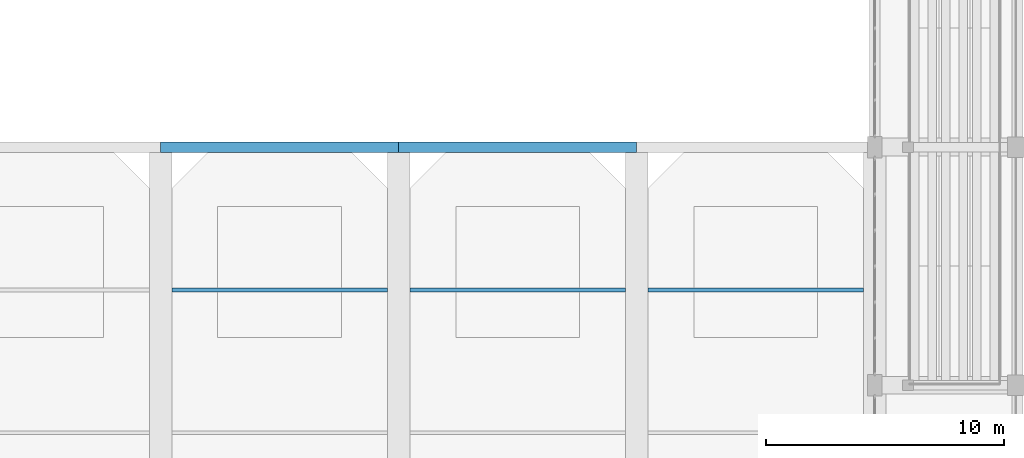
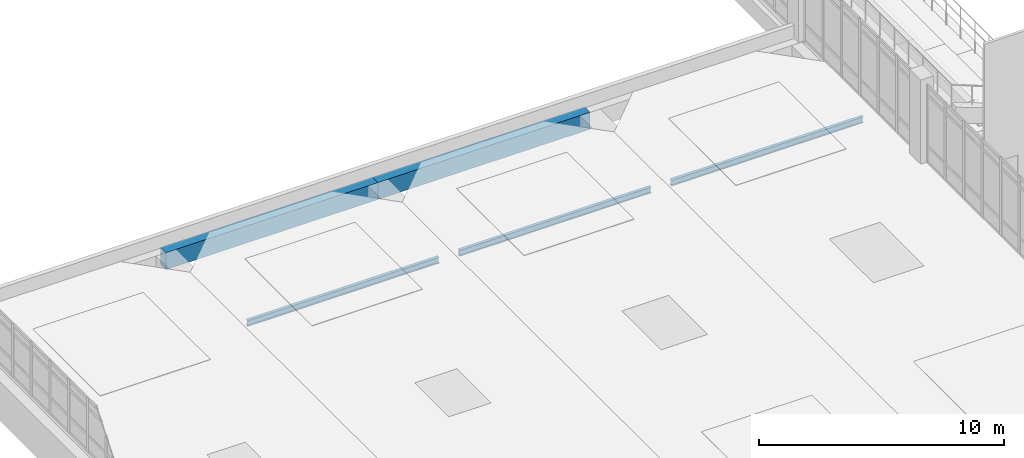
# One storey, part 61 of 161: 5 beams.
"""IFC4 building model written with IfcOpenShell, lengths in metres."""

from ifc_helpers import new_model, si_unit, direction, frame, origin, origin_2d, place, context, subcontext, project, spatial, rectangle, i_section, extrude, material, material_profile, profile_set, type_object, element, save


model = new_model("IFC4")

# Units and contexts
model_context = context("Model", 3, precision=1e-05, world=origin(), true_north=direction((0.0, 1.0)))
body_context = subcontext(model_context, "Body", "Model", "MODEL_VIEW")
ifc_project = project(units=[si_unit("LENGTHUNIT", "METRE"), si_unit("AREAUNIT", "SQUARE_METRE"), si_unit("VOLUMEUNIT", "CUBIC_METRE"), si_unit("PLANEANGLEUNIT", "RADIAN"), si_unit("MASSUNIT", "GRAM", prefix="KILO")], contexts=[model_context])

# Site, building, storey
site_placement = place(None, origin())
site = spatial("IfcSite", under=ifc_project, at=site_placement, CompositionType="ELEMENT")
building_placement = place(site_placement, origin())
building = spatial("IfcBuilding", under=site, at=building_placement, Name="Mersad Railyard Sports Hall", CompositionType="ELEMENT")
storey_placement = place(building_placement, frame((0.0, 0.0, 4.800048828125)))
storey = spatial("IfcBuildingStorey", under=building, at=storey_placement, Name="L01", CompositionType="ELEMENT", Elevation=4.800048828125)

# Beams
ifc_material_1 = material(Name="Concrete C40/50", Category="concrete")
ifc_material_profile_1 = material_profile(ifc_material_1, rectangle(XDim=0.449951171875, YDim=0.85009765625, at=origin_2d()), Name="RC 450x850")
ifc_profile_set_1 = profile_set([ifc_material_profile_1], Name="Concrete C40/50")
beam_type_1 = type_object("IfcBeamType", Name="STR-BM-B02", PredefinedType="BEAM", material=ifc_profile_set_1)
for number, where, z_axis, x_axis, name in (
    (1, (101.0, 43.5, -0.64501953125), (1.0, 0.0, 0.0), (0.0, 1.0, 0.0), "Beam B02-0602"),
    (2, (111.0, 43.5, -0.64501953125), (1.0, 0.0, 0.0), (0.0, 1.0, 0.0), "Beam B02-0603"),
):
    element("IfcBeam", number, at=place(storey_placement, frame(where, z_axis=z_axis, x_axis=x_axis)), inside=storey, type_object=beam_type_1, Name=name, PredefinedType="BEAM", context=body_context, shape_type="SweptSolid", body=[
        extrude(rectangle(XDim=0.449951171875, YDim=0.85009765625, at=origin_2d()), origin(), (0.0, 0.0, 1.0), 10.0),
    ])
ifc_material_2 = material(Name="Steel S355", Category="steel")
ifc_material_profile_2 = material_profile(ifc_material_2, i_section(OverallWidth=0.14990234375, OverallDepth=0.300048828125, WebThickness=0.007080078125, FlangeThickness=0.0107421875, at=origin_2d()), Name="IPE 300")
ifc_profile_set_2 = profile_set([ifc_material_profile_2], Name="Steel S355")
beam_type_2 = type_object("IfcBeamType", Name="STR-BM-J02", PredefinedType="JOIST", material=ifc_profile_set_2)
for number, where, z_axis, x_axis, name in (
    (3, (101.47509765625, 37.5, -0.380126953125), (1.0, 0.0, 0.0), (0.0, 1.0, 0.0), "Beam J02-0612"),
    (4, (111.47509765625, 37.5, -0.380126953125), (1.0, 0.0, 0.0), (0.0, 1.0, 0.0), "Beam J02-0616"),
    (5, (121.47509765625, 37.5, -0.380126953125), (1.0, 0.0, 0.0), (0.0, 1.0, 0.0), "Beam J02-0620"),
):
    element("IfcBeam", number, at=place(storey_placement, frame(where, z_axis=z_axis, x_axis=x_axis)), inside=storey, type_object=beam_type_2, Name=name, PredefinedType="JOIST", context=body_context, shape_type="SweptSolid", body=[
        extrude(i_section(OverallWidth=0.14990234375, OverallDepth=0.300048828125, WebThickness=0.007080078125, FlangeThickness=0.0107421875, at=origin_2d()), origin(), (0.0, 0.0, 1.0), 9.0498046875),
    ])

save(model, "model.ifc")
